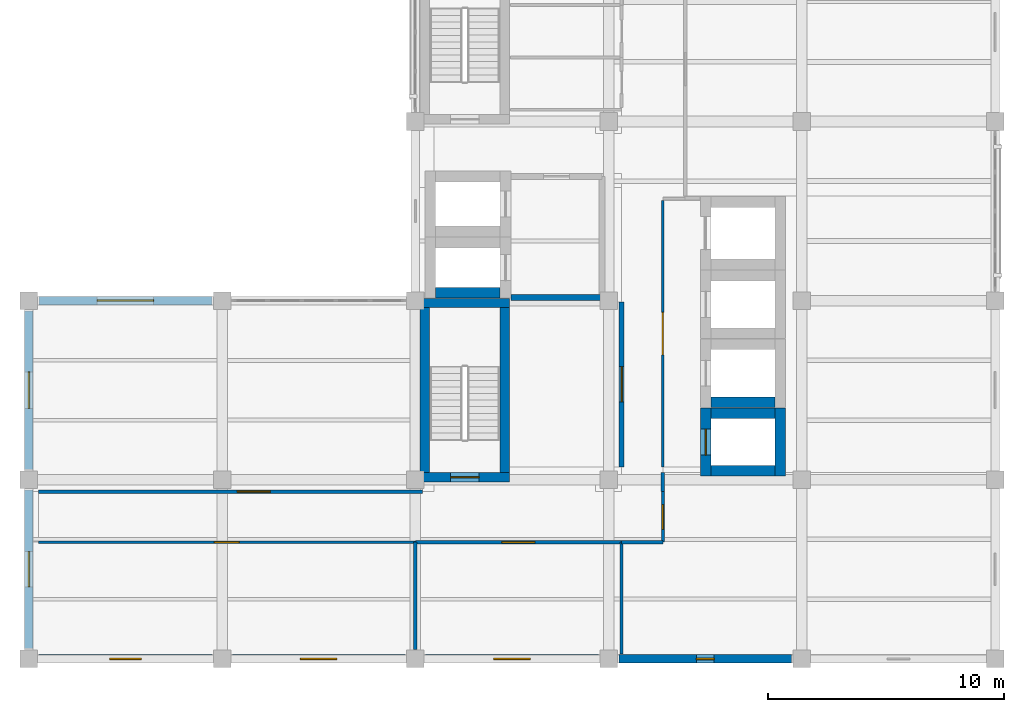
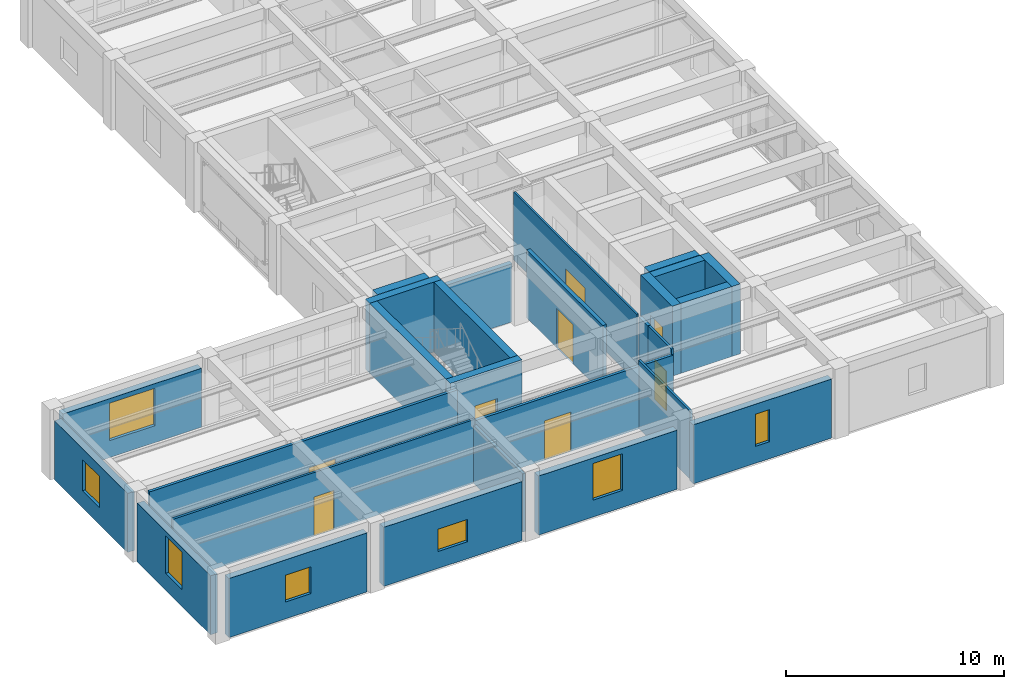
# One storey, part 7 of 13: 28 walls, 8 doors, 7 windows, 15 openings.
"""IFC4 building model written with IfcOpenShell, lengths in metres."""

from ifc_helpers import new_model, si_unit, direction, frame, frame_2d, origin, place, context, subcontext, project, spatial, rectangle, extrude, material, layer, layer_set, type_object, element, fill, save


model = new_model("IFC4")

# Units and contexts
model_context = context("Model", 3, precision=1e-05, world=origin(), true_north=direction((0.0, 1.0)))
body_context = subcontext(model_context, "Body", "Model", "MODEL_VIEW")
ifc_project = project(units=[si_unit("LENGTHUNIT", "METRE"), si_unit("AREAUNIT", "SQUARE_METRE"), si_unit("VOLUMEUNIT", "CUBIC_METRE"), si_unit("PLANEANGLEUNIT", "RADIAN"), si_unit("MASSUNIT", "GRAM", prefix="KILO")], contexts=[model_context])

# Site, building, storey
site_placement = place(None, origin())
site = spatial("IfcSite", under=ifc_project, at=site_placement, CompositionType="ELEMENT")
building_placement = place(site_placement, origin())
building = spatial("IfcBuilding", under=site, at=building_placement, Name="Qandaris Square Conservatory and Botanical Centre", CompositionType="ELEMENT")
storey_placement = place(building_placement, frame((0.0, 0.0, 57.60009765625)))
storey = spatial("IfcBuildingStorey", under=building, at=storey_placement, Name="L13", CompositionType="ELEMENT", Elevation=57.60009765625)

# Wall, opening, door
ifc_material_1 = material(Name="Gypsum Plasterboard", Category="gypsum")
ifc_layer_1 = layer(ifc_material_1, 0.14990234375)
ifc_layer_set_1 = layer_set([ifc_layer_1], Name="Gypsum Plasterboard")
wall_type_1 = type_object("IfcWallType", Name="Acoustic Laboratory Partition 150mm", PredefinedType="PARTITIONING", material=ifc_layer_set_1)
wall_1_placement = place(storey_placement, frame((147.949951171875, 21.550048828125, 0.0), z_axis=(0.0, 0.0, 1.0), x_axis=(-1.0, 0.0, 0.0)))
wall_1 = element("IfcWall", 1, at=wall_1_placement, inside=storey, type_object=wall_type_1, Name="Interior Partition IW-L13-0426", PredefinedType="PARTITIONING", context=body_context, shape_type="SweptSolid", body=[
    extrude(rectangle(XDim=8.75, YDim=0.14990234375, at=frame_2d((4.375, 0.0))), origin(), (0.0, 0.0, 1.0), 3.494873046875),
])
opening_1_placement = place(wall_1_placement, frame((3.675048828125, 0.0, 0.0)))
opening_1 = element("IfcOpeningElement", 2, at=opening_1_placement, cuts=wall_1, Name="Opening D-LAB1", PredefinedType="OPENING", context=body_context, shape_type="SweptSolid", body=[
    extrude(rectangle(XDim=1.39990234375, YDim=2.199951171875, at=frame_2d((0.699951171875, 1.10009765625))), frame((0.0, 0.0869140625, 0.0), z_axis=(0.0, -1.0, 0.0), x_axis=(1.0, 0.0, 0.0)), (0.0, 0.0, 1.0), 0.173828125),
])
ifc_material_2 = material(Name="Engineered Oak Timber", Category="wood")
door_type_1 = type_object("IfcDoorType", Name="Research Laboratory Leaf-and-Half Door 1400x2200", OperationType="DOUBLE_DOOR_SINGLE_SWING", PredefinedType="DOOR", material=ifc_material_2)
door_1_placement = place(opening_1_placement, frame((1.39990234375, 0.0, 0.0), z_axis=(0.0, 0.0, 1.0), x_axis=(-1.0, 0.0, 0.0)))
door_1 = element("IfcDoor", 3, at=door_1_placement, inside=storey, type_object=door_type_1, Name="DR-0385 Coastal Dune Flora Suite Door", OperationType="DOUBLE_DOOR_SINGLE_SWING", OverallHeight=2.199951171875, OverallWidth=1.39990234375, PredefinedType="DOOR", context=body_context, shape_type="SweptSolid", body=[
    extrude(rectangle(XDim=1.39990234375, YDim=2.199951171875, at=frame_2d((0.699951171875, 1.10009765625))), frame((0.0, 0.02490234375, 0.0), z_axis=(0.0, -1.0, 0.0), x_axis=(1.0, 0.0, 0.0)), (0.0, 0.0, 1.0), 0.050048828125),
])
fill(opening_1, door_1)

# Walls
wall_2_placement = place(storey_placement, frame((149.699951171875, 24.5, 0.0), z_axis=(0.0, 0.0, 1.0), x_axis=(0.0, -1.0, 0.0)))
element("IfcWall", 4, at=wall_2_placement, inside=storey, type_object=wall_type_1, Name="Interior Partition IW-L13-0427", PredefinedType="PARTITIONING", context=body_context, shape_type="SweptSolid", body=[
    extrude(rectangle(XDim=0.800048828125, YDim=0.14990234375, at=frame_2d((0.39990234375, 0.0))), origin(), (0.0, 0.0, 1.0), 3.804931640625),
])
wall_3_placement = place(storey_placement, frame((149.699951171875, 21.550048828125, 0.0), z_axis=(0.0, 0.0, 1.0), x_axis=(-1.0, 0.0, 0.0)))
element("IfcWall", 5, at=wall_3_placement, inside=storey, type_object=wall_type_1, Name="Interior Partition IW-L13-0429", PredefinedType="PARTITIONING", context=body_context, shape_type="SweptSolid", body=[
    extrude(rectangle(XDim=1.75, YDim=0.14990234375, at=frame_2d((0.875, 0.0))), origin(), (0.0, 0.0, 1.0), 3.494873046875),
])

# Wall, opening, door
wall_4_placement = place(storey_placement, frame((123.199951171875, 23.699951171875, 0.0), z_axis=(0.0, 0.0, 1.0), x_axis=(1.0, 0.0, 0.0)))
wall_4 = element("IfcWall", 6, at=wall_4_placement, inside=storey, type_object=wall_type_1, Name="Interior Partition IW-L13-0434", PredefinedType="PARTITIONING", context=body_context, shape_type="SweptSolid", body=[
    extrude(rectangle(XDim=16.300048828125, YDim=0.14990234375, at=frame_2d((8.14990234375, 0.0))), origin(), (0.0, 0.0, 1.0), 3.804931640625),
])
opening_2_placement = place(wall_4_placement, frame((8.452880859375, 0.0, 0.0)))
opening_2 = element("IfcOpeningElement", 7, at=opening_2_placement, cuts=wall_4, Name="Opening D-LAB1", PredefinedType="OPENING", context=body_context, shape_type="SweptSolid", body=[
    extrude(rectangle(XDim=1.39990234375, YDim=2.199951171875, at=frame_2d((0.699951171875, 1.10009765625))), frame((0.0, 0.0869140625, 0.0), z_axis=(0.0, -1.0, 0.0), x_axis=(1.0, 0.0, 0.0)), (0.0, 0.0, 1.0), 0.173828125),
])
door_2_placement = place(opening_2_placement, frame((1.39990234375, 0.0, 0.0), z_axis=(0.0, 0.0, 1.0), x_axis=(-1.0, 0.0, 0.0)))
door_2 = element("IfcDoor", 8, at=door_2_placement, inside=storey, type_object=door_type_1, Name="DR-0387 Climate Modelling Research Laboratory South Door", OperationType="DOUBLE_DOOR_SINGLE_SWING", OverallHeight=2.199951171875, OverallWidth=1.39990234375, PredefinedType="DOOR", context=body_context, shape_type="SweptSolid", body=[
    extrude(rectangle(XDim=1.39990234375, YDim=2.199951171875, at=frame_2d((0.699951171875, 1.10009765625))), frame((0.0, 0.02490234375, 0.0), z_axis=(0.0, -1.0, 0.0), x_axis=(1.0, 0.0, 0.0)), (0.0, 0.0, 1.0), 0.050048828125),
])
fill(opening_2, door_2)

# Wall
wall_5_placement = place(storey_placement, frame((139.199951171875, 21.550048828125, 0.0), z_axis=(0.0, 0.0, 1.0), x_axis=(0.0, -1.0, 0.0)))
element("IfcWall", 9, at=wall_5_placement, inside=storey, type_object=wall_type_1, Name="Interior Partition IW-L13-0435", PredefinedType="PARTITIONING", context=body_context, shape_type="SweptSolid", body=[
    extrude(rectangle(XDim=4.554931640625, YDim=0.14990234375, at=frame_2d((2.27734375, 0.0))), origin(), (0.0, 0.0, 1.0), 3.2548828125),
])

# Wall, opening, window
ifc_material_3 = material(Name="Precast concrete C40/50", Category="concrete")
ifc_layer_2 = layer(ifc_material_3, 0.360107421875)
ifc_layer_set_2 = layer_set([ifc_layer_2], Name="Precast concrete C40/50")
wall_type_2 = type_object("IfcWallType", Name="Architectural Precast Cladding Wall 360mm", PredefinedType="SOLIDWALL", material=ifc_layer_set_2)
wall_6_placement = place(storey_placement, frame((123.235107421875, 16.60009765625, 0.0), z_axis=(0.0, 0.0, 1.0), x_axis=(1.0, 0.0, 0.0)))
wall_6 = element("IfcWall", 10, at=wall_6_placement, inside=storey, type_object=wall_type_2, Name="Exterior Wall EW-TWR-L13-1-1", PredefinedType="SOLIDWALL", context=body_context, shape_type="SweptSolid", body=[
    extrude(rectangle(XDim=7.329833984375, YDim=0.360107421875, at=frame_2d((3.6650390625, 0.0))), origin(), (0.0, 0.0, 1.0), 3.304931640625),
])
opening_3_placement = place(wall_6_placement, frame((2.989990234375, 0.0, 0.949951171875)))
opening_3 = element("IfcOpeningElement", 11, at=opening_3_placement, cuts=wall_6, Name="Opening WN-22", PredefinedType="OPENING", context=body_context, shape_type="SweptSolid", body=[
    extrude(rectangle(XDim=1.35009765625, YDim=1.5, at=frame_2d((0.675048828125, 0.75))), frame((0.0, 0.19189453125, 0.0), z_axis=(0.0, -1.0, 0.0), x_axis=(1.0, 0.0, 0.0)), (0.0, 0.0, 1.0), 0.384033203125),
])
ifc_material_4 = material(Name="Tempered Low-E Glass", Category="glass")
window_type_1 = type_object("IfcWindowType", Name="Solar Control Window 1350x1500", PartitioningType="SINGLE_PANEL", PredefinedType="WINDOW", material=ifc_material_4)
window_1_placement = place(opening_3_placement, origin())
window_1 = element("IfcWindow", 12, at=window_1_placement, inside=storey, type_object=window_type_1, Name="Window EW-TWR-L13-1-1", OverallHeight=1.5, OverallWidth=1.35009765625, PartitioningType="SINGLE_PANEL", PredefinedType="WINDOW", context=body_context, shape_type="SweptSolid", body=[
    extrude(rectangle(XDim=1.35009765625, YDim=1.5, at=frame_2d((0.675048828125, 0.75))), frame((0.0, 0.030029296875, 0.0), z_axis=(0.0, -1.0, 0.0), x_axis=(1.0, 0.0, 0.0)), (0.0, 0.0, 1.0), 0.06005859375),
])
fill(opening_3, window_1)

wall_7_placement = place(storey_placement, frame((131.43505859375, 16.60009765625, 0.0), z_axis=(0.0, 0.0, 1.0), x_axis=(1.0, 0.0, 0.0)))
wall_7 = element("IfcWall", 13, at=wall_7_placement, inside=storey, type_object=wall_type_2, Name="Exterior Wall EW-TWR-L13-1-2", PredefinedType="SOLIDWALL", context=body_context, shape_type="SweptSolid", body=[
    extrude(rectangle(XDim=7.329833984375, YDim=0.360107421875, at=frame_2d((3.6650390625, 0.0))), origin(), (0.0, 0.0, 1.0), 3.304931640625),
])
opening_4_placement = place(wall_7_placement, frame((2.889892578125, 0.0, 0.949951171875)))
opening_4 = element("IfcOpeningElement", 14, at=opening_4_placement, cuts=wall_7, Name="Opening WN-25", PredefinedType="OPENING", context=body_context, shape_type="SweptSolid", body=[
    extrude(rectangle(XDim=1.550048828125, YDim=1.25, at=frame_2d((0.77490234375, 0.625))), frame((0.0, 0.19189453125, 0.0), z_axis=(0.0, -1.0, 0.0), x_axis=(1.0, 0.0, 0.0)), (0.0, 0.0, 1.0), 0.384033203125),
])
window_type_2 = type_object("IfcWindowType", Name="Solar Control Window 1550x1250", PartitioningType="DOUBLE_PANEL_VERTICAL", PredefinedType="WINDOW", material=ifc_material_4)
window_2_placement = place(opening_4_placement, origin())
window_2 = element("IfcWindow", 15, at=window_2_placement, inside=storey, type_object=window_type_2, Name="Window EW-TWR-L13-1-2", OverallHeight=1.25, OverallWidth=1.550048828125, PartitioningType="DOUBLE_PANEL_VERTICAL", PredefinedType="WINDOW", context=body_context, shape_type="SweptSolid", body=[
    extrude(rectangle(XDim=1.550048828125, YDim=1.25, at=frame_2d((0.77490234375, 0.625))), frame((0.0, 0.030029296875, 0.0), z_axis=(0.0, -1.0, 0.0), x_axis=(1.0, 0.0, 0.0)), (0.0, 0.0, 1.0), 0.06005859375),
])
fill(opening_4, window_2)

wall_8_placement = place(storey_placement, frame((139.635009765625, 16.60009765625, 0.0), z_axis=(0.0, 0.0, 1.0), x_axis=(1.0, 0.0, 0.0)))
wall_8 = element("IfcWall", 16, at=wall_8_placement, inside=storey, type_object=wall_type_2, Name="Exterior Wall EW-TWR-L13-1-3", PredefinedType="SOLIDWALL", context=body_context, shape_type="SweptSolid", body=[
    extrude(rectangle(XDim=7.330078125, YDim=0.360107421875, at=frame_2d((3.6650390625, 0.0))), origin(), (0.0, 0.0, 1.0), 3.304931640625),
])
opening_5_placement = place(wall_8_placement, frame((2.889892578125, 0.0, 0.949951171875)))
opening_5 = element("IfcOpeningElement", 17, at=opening_5_placement, cuts=wall_8, Name="Opening WN-28", PredefinedType="OPENING", context=body_context, shape_type="SweptSolid", body=[
    extrude(rectangle(XDim=1.550048828125, YDim=2.050048828125, at=frame_2d((0.77490234375, 1.02490234375))), frame((0.0, 0.19189453125, 0.0), z_axis=(0.0, -1.0, 0.0), x_axis=(1.0, 0.0, 0.0)), (0.0, 0.0, 1.0), 0.384033203125),
])
window_type_3 = type_object("IfcWindowType", Name="Solar Control Window 1550x2050", PartitioningType="DOUBLE_PANEL_VERTICAL", PredefinedType="WINDOW", material=ifc_material_4)
window_3_placement = place(opening_5_placement, origin())
window_3 = element("IfcWindow", 18, at=window_3_placement, inside=storey, type_object=window_type_3, Name="Window EW-TWR-L13-1-3", OverallHeight=2.050048828125, OverallWidth=1.550048828125, PartitioningType="DOUBLE_PANEL_VERTICAL", PredefinedType="WINDOW", context=body_context, shape_type="SweptSolid", body=[
    extrude(rectangle(XDim=1.550048828125, YDim=2.050048828125, at=frame_2d((0.77490234375, 1.02490234375))), frame((0.0, 0.030029296875, 0.0), z_axis=(0.0, -1.0, 0.0), x_axis=(1.0, 0.0, 0.0)), (0.0, 0.0, 1.0), 0.06005859375),
])
fill(opening_5, window_3)

wall_9_placement = place(storey_placement, frame((147.8349609375, 16.60009765625, 0.0), z_axis=(0.0, 0.0, 1.0), x_axis=(1.0, 0.0, 0.0)))
wall_9 = element("IfcWall", 19, at=wall_9_placement, inside=storey, type_object=wall_type_2, Name="Exterior Wall EW-TWR-L13-1-4", PredefinedType="SOLIDWALL", context=body_context, shape_type="SweptSolid", body=[
    extrude(rectangle(XDim=7.330078125, YDim=0.360107421875, at=frame_2d((3.6650390625, 0.0))), origin(), (0.0, 0.0, 1.0), 3.304931640625),
])
opening_6_placement = place(wall_9_placement, frame((3.2900390625, 0.0, 0.949951171875)))
opening_6 = element("IfcOpeningElement", 20, at=opening_6_placement, cuts=wall_9, Name="Opening WN-03", PredefinedType="OPENING", context=body_context, shape_type="SweptSolid", body=[
    extrude(rectangle(XDim=0.75, YDim=1.800048828125, at=frame_2d((0.375, 0.89990234375))), frame((0.0, 0.19189453125, 0.0), z_axis=(0.0, -1.0, 0.0), x_axis=(1.0, 0.0, 0.0)), (0.0, 0.0, 1.0), 0.384033203125),
])
window_type_4 = type_object("IfcWindowType", Name="Herbarium UV-Filtered Slot Window 750x1800", PartitioningType="SINGLE_PANEL", PredefinedType="WINDOW", material=ifc_material_4)
window_4_placement = place(opening_6_placement, origin())
window_4 = element("IfcWindow", 21, at=window_4_placement, inside=storey, type_object=window_type_4, Name="Window EW-TWR-L13-1-4", OverallHeight=1.800048828125, OverallWidth=0.75, PartitioningType="SINGLE_PANEL", PredefinedType="WINDOW", context=body_context, shape_type="SweptSolid", body=[
    extrude(rectangle(XDim=0.75, YDim=1.800048828125, at=frame_2d((0.375, 0.89990234375))), frame((0.0, 0.030029296875, 0.0), z_axis=(0.0, -1.0, 0.0), x_axis=(1.0, 0.0, 0.0)), (0.0, 0.0, 1.0), 0.06005859375),
])
fill(opening_6, window_4)

wall_10_placement = place(storey_placement, frame((130.56494140625, 31.800048828125, 0.0), z_axis=(0.0, 0.0, 1.0), x_axis=(-1.0, 0.0, 0.0)))
wall_10 = element("IfcWall", 22, at=wall_10_placement, inside=storey, type_object=wall_type_2, Name="Exterior Wall EW-TWR-L13-5-2", PredefinedType="SOLIDWALL", context=body_context, shape_type="SweptSolid", body=[
    extrude(rectangle(XDim=7.329833984375, YDim=0.360107421875, at=frame_2d((3.6650390625, 0.0))), origin(), (0.0, 0.0, 1.0), 3.304931640625),
])
opening_7_placement = place(wall_10_placement, frame((2.465087890625, 0.0, 0.949951171875)))
opening_7 = element("IfcOpeningElement", 23, at=opening_7_placement, cuts=wall_10, Name="Opening WN-04", PredefinedType="OPENING", context=body_context, shape_type="SweptSolid", body=[
    extrude(rectangle(XDim=2.39990234375, YDim=2.10009765625, at=frame_2d((1.199951171875, 1.050048828125))), frame((0.0, 0.19189453125, 0.0), z_axis=(0.0, -1.0, 0.0), x_axis=(1.0, 0.0, 0.0)), (0.0, 0.0, 1.0), 0.384033203125),
])
window_type_5 = type_object("IfcWindowType", Name="North Research Ribbon Window 2400x2100", PartitioningType="TRIPLE_PANEL_VERTICAL", PredefinedType="WINDOW", material=ifc_material_4)
window_5_placement = place(opening_7_placement, origin())
window_5 = element("IfcWindow", 24, at=window_5_placement, inside=storey, type_object=window_type_5, Name="Window EW-TWR-L13-5-2", OverallHeight=2.10009765625, OverallWidth=2.39990234375, PartitioningType="TRIPLE_PANEL_VERTICAL", PredefinedType="WINDOW", context=body_context, shape_type="SweptSolid", body=[
    extrude(rectangle(XDim=2.39990234375, YDim=2.10009765625, at=frame_2d((1.199951171875, 1.050048828125))), frame((0.0, 0.030029296875, 0.0), z_axis=(0.0, -1.0, 0.0), x_axis=(1.0, 0.0, 0.0)), (0.0, 0.0, 1.0), 0.06005859375),
])
fill(opening_7, window_5)

wall_11_placement = place(storey_placement, frame((122.800048828125, 31.364990234375, 0.0), z_axis=(0.0, 0.0, 1.0), x_axis=(0.0, -1.0, 0.0)))
wall_11 = element("IfcWall", 25, at=wall_11_placement, inside=storey, type_object=wall_type_2, Name="Exterior Wall EW-TWR-L13-6-1", PredefinedType="SOLIDWALL", context=body_context, shape_type="SweptSolid", body=[
    extrude(rectangle(XDim=6.72998046875, YDim=0.360107421875, at=frame_2d((3.364990234375, 0.0))), origin(), (0.0, 0.0, 1.0), 3.304931640625),
])
opening_8_placement = place(wall_11_placement, frame((2.590087890625, 0.0, 0.949951171875)))
opening_8 = element("IfcOpeningElement", 26, at=opening_8_placement, cuts=wall_11, Name="Opening WN-27", PredefinedType="OPENING", context=body_context, shape_type="SweptSolid", body=[
    extrude(rectangle(XDim=1.550048828125, YDim=1.75, at=frame_2d((0.77490234375, 0.875))), frame((0.0, 0.19189453125, 0.0), z_axis=(0.0, -1.0, 0.0), x_axis=(1.0, 0.0, 0.0)), (0.0, 0.0, 1.0), 0.384033203125),
])
window_type_6 = type_object("IfcWindowType", Name="Solar Control Window 1550x1750", PartitioningType="DOUBLE_PANEL_VERTICAL", PredefinedType="WINDOW", material=ifc_material_4)
window_6_placement = place(opening_8_placement, origin())
window_6 = element("IfcWindow", 27, at=window_6_placement, inside=storey, type_object=window_type_6, Name="Window EW-TWR-L13-6-1", OverallHeight=1.75, OverallWidth=1.550048828125, PartitioningType="DOUBLE_PANEL_VERTICAL", PredefinedType="WINDOW", context=body_context, shape_type="SweptSolid", body=[
    extrude(rectangle(XDim=1.550048828125, YDim=1.75, at=frame_2d((0.77490234375, 0.875))), frame((0.0, 0.030029296875, 0.0), z_axis=(0.0, -1.0, 0.0), x_axis=(1.0, 0.0, 0.0)), (0.0, 0.0, 1.0), 0.06005859375),
])
fill(opening_8, window_6)

wall_12_placement = place(storey_placement, frame((122.800048828125, 23.764892578125, 0.0), z_axis=(0.0, 0.0, 1.0), x_axis=(0.0, -1.0, 0.0)))
wall_12 = element("IfcWall", 28, at=wall_12_placement, inside=storey, type_object=wall_type_2, Name="Exterior Wall EW-TWR-L13-6-2", PredefinedType="SOLIDWALL", context=body_context, shape_type="SweptSolid", body=[
    extrude(rectangle(XDim=6.72998046875, YDim=0.360107421875, at=frame_2d((3.364990234375, 0.0))), origin(), (0.0, 0.0, 1.0), 3.304931640625),
])
opening_9_placement = place(wall_12_placement, frame((2.614990234375, 0.0, 0.949951171875)))
opening_9 = element("IfcOpeningElement", 29, at=opening_9_placement, cuts=wall_12, Name="Opening WN-02", PredefinedType="OPENING", context=body_context, shape_type="SweptSolid", body=[
    extrude(rectangle(XDim=1.5, YDim=2.10009765625, at=frame_2d((0.75, 1.050048828125))), frame((0.0, 0.19189453125, 0.0), z_axis=(0.0, -1.0, 0.0), x_axis=(1.0, 0.0, 0.0)), (0.0, 0.0, 1.0), 0.384033203125),
])
window_type_7 = type_object("IfcWindowType", Name="Deep-Set Paired Research Window 1500x2100", PartitioningType="DOUBLE_PANEL_VERTICAL", PredefinedType="WINDOW", material=ifc_material_4)
window_7_placement = place(opening_9_placement, origin())
window_7 = element("IfcWindow", 30, at=window_7_placement, inside=storey, type_object=window_type_7, Name="Window EW-TWR-L13-6-2", OverallHeight=2.10009765625, OverallWidth=1.5, PartitioningType="DOUBLE_PANEL_VERTICAL", PredefinedType="WINDOW", context=body_context, shape_type="SweptSolid", body=[
    extrude(rectangle(XDim=1.5, YDim=2.10009765625, at=frame_2d((0.75, 1.050048828125))), frame((0.0, 0.030029296875, 0.0), z_axis=(0.0, -1.0, 0.0), x_axis=(1.0, 0.0, 0.0)), (0.0, 0.0, 1.0), 0.06005859375),
])
fill(opening_9, window_7)

# Wall
ifc_material_5 = material(Name="Concrete C40/50", Category="concrete")
ifc_layer_3 = layer(ifc_material_5, 0.25)
ifc_layer_set_3 = layer_set([ifc_layer_3], Name="Concrete C40/50")
wall_type_3 = type_object("IfcWallType", Name="Firefighting Lobby Compartment Wall 250mm", PredefinedType="SOLIDWALL", material=ifc_layer_set_3)
wall_13_placement = place(storey_placement, frame((143.25, 31.925048828125, 0.0), z_axis=(0.0, 0.0, 1.0), x_axis=(1.0, 0.0, 0.0)))
element("IfcWall", 31, at=wall_13_placement, inside=storey, type_object=wall_type_3, Name="Firefighting Lobby Wall South (L13)", PredefinedType="SOLIDWALL", context=body_context, shape_type="SweptSolid", body=[
    extrude(rectangle(XDim=3.875, YDim=0.25, at=frame_2d((1.9375, 0.0))), origin(), (0.0, 0.0, 1.0), 3.2548828125),
])

# Wall, opening, door
ifc_layer_4 = layer(ifc_material_4, 0.10009765625)
ifc_layer_set_4 = layer_set([ifc_layer_4], Name="Tempered Low-E Glass")
wall_type_4 = type_object("IfcWallType", Name="Framed Acoustic Glazed Gallery Screen 100mm", PredefinedType="PARTITIONING", material=ifc_layer_set_4)
wall_14_placement = place(storey_placement, frame((149.699951171875, 24.75, 0.0), z_axis=(0.0, 0.0, 1.0), x_axis=(0.0, 1.0, 0.0)))
wall_14 = element("IfcWall", 32, at=wall_14_placement, inside=storey, type_object=wall_type_4, Name="Interior Partition IW-L13-0417", PredefinedType="PARTITIONING", context=body_context, shape_type="SweptSolid", body=[
    extrude(rectangle(XDim=11.300048828125, YDim=0.10009765625, at=frame_2d((5.64990234375, 0.0))), origin(), (0.0, 0.0, 1.0), 3.804931640625),
])
opening_10_placement = place(wall_14_placement, frame((4.75, 0.0, 0.0)))
opening_10 = element("IfcOpeningElement", 33, at=opening_10_placement, cuts=wall_14, Name="Opening D-GL1", PredefinedType="OPENING", context=body_context, shape_type="SweptSolid", body=[
    extrude(rectangle(XDim=1.800048828125, YDim=2.39990234375, at=frame_2d((0.89990234375, 1.199951171875))), frame((0.0, 0.06201171875, 0.0), z_axis=(0.0, -1.0, 0.0), x_axis=(1.0, 0.0, 0.0)), (0.0, 0.0, 1.0), 0.1240234375),
])
ifc_material_6 = material(Name="Anodised Aluminium", Category="aluminium")
door_type_2 = type_object("IfcDoorType", Name="Visitor Gallery Glazed Double Door 1800x2400", OperationType="DOUBLE_DOOR_SINGLE_SWING", PredefinedType="DOOR", material=ifc_material_6)
door_3_placement = place(opening_10_placement, frame((1.800048828125, 0.0, 0.0), z_axis=(0.0, 0.0, 1.0), x_axis=(-1.0, 0.0, 0.0)))
door_3 = element("IfcDoor", 34, at=door_3_placement, inside=storey, type_object=door_type_2, Name="DR-0384 Main Circulation Corridor L13 Door", OperationType="DOUBLE_DOOR_SINGLE_SWING", OverallHeight=2.39990234375, OverallWidth=1.800048828125, PredefinedType="DOOR", context=body_context, shape_type="SweptSolid", body=[
    extrude(rectangle(XDim=1.800048828125, YDim=2.39990234375, at=frame_2d((0.89990234375, 1.199951171875))), frame((0.0, 0.02490234375, 0.0), z_axis=(0.0, -1.0, 0.0), x_axis=(1.0, 0.0, 0.0)), (0.0, 0.0, 1.0), 0.050048828125),
])
fill(opening_10, door_3)

ifc_layer_5 = layer(ifc_material_5, 0.199951171875)
ifc_layer_set_5 = layer_set([ifc_layer_5], Name="Concrete C40/50")
wall_type_5 = type_object("IfcWallType", Name="Herbarium & Plant Compartment Wall 200mm", PredefinedType="PARTITIONING", material=ifc_layer_set_5)
wall_15_placement = place(storey_placement, frame((147.949951171875, 31.75, 0.0), z_axis=(0.0, 0.0, 1.0), x_axis=(0.0, -1.0, 0.0)))
wall_15 = element("IfcWall", 35, at=wall_15_placement, inside=storey, type_object=wall_type_5, Name="Interior Partition IW-L13-0416", PredefinedType="PARTITIONING", context=body_context, shape_type="SweptSolid", body=[
    extrude(rectangle(XDim=7.0, YDim=0.199951171875, at=frame_2d((3.5, 0.0))), origin(), (0.0, 0.0, 1.0), 3.804931640625),
])
opening_11_placement = place(wall_15_placement, frame((2.75, 0.0, 0.0)))
opening_11 = element("IfcOpeningElement", 36, at=opening_11_placement, cuts=wall_15, Name="Opening D-PLT1", PredefinedType="OPENING", context=body_context, shape_type="SweptSolid", body=[
    extrude(rectangle(XDim=1.5, YDim=2.199951171875, at=frame_2d((0.75, 1.10009765625))), frame((0.0, 0.11181640625, 0.0), z_axis=(0.0, -1.0, 0.0), x_axis=(1.0, 0.0, 0.0)), (0.0, 0.0, 1.0), 0.223876953125),
])
ifc_material_7 = material(Name="Steel S355", Category="steel")
door_type_3 = type_object("IfcDoorType", Name="Plant & Riser Double Fire Door 1500x2200", OperationType="DOUBLE_DOOR_SINGLE_SWING", PredefinedType="DOOR", material=ifc_material_7)
door_4_placement = place(opening_11_placement, origin())
door_4 = element("IfcDoor", 37, at=door_4_placement, inside=storey, type_object=door_type_3, Name="DR-0393 Electrical and Telecom Riser Room L13 Door", OperationType="DOUBLE_DOOR_SINGLE_SWING", OverallHeight=2.199951171875, OverallWidth=1.5, PredefinedType="DOOR", context=body_context, shape_type="SweptSolid", body=[
    extrude(rectangle(XDim=1.5, YDim=2.199951171875, at=frame_2d((0.75, 1.10009765625))), frame((0.0, 0.02490234375, 0.0), z_axis=(0.0, -1.0, 0.0), x_axis=(1.0, 0.0, 0.0)), (0.0, 0.0, 1.0), 0.050048828125),
])
fill(opening_11, door_4)

# Walls
ifc_material_8 = material(Name="Concrete C50/60", Category="concrete")
ifc_layer_6 = layer(ifc_material_8, 0.449951171875)
ifc_layer_set_6 = layer_set([ifc_layer_6], Name="Concrete C50/60")
wall_type_6 = type_object("IfcWallType", Name="RC Coupled Core Shear Wall 450mm", PredefinedType="SHEAR", material=ifc_layer_set_6)
wall_16_placement = place(storey_placement, frame((140.06005859375, 32.135009765625, 0.0), z_axis=(0.0, 0.0, 1.0), x_axis=(1.0, 0.0, 0.0)))
element("IfcWall", 38, at=wall_16_placement, inside=storey, type_object=wall_type_6, Name="Lift FFL1 Shaft Wall South (L13)", PredefinedType="SHEAR", context=body_context, shape_type="SweptSolid", body=[
    extrude(rectangle(XDim=2.739990234375, YDim=0.449951171875, at=frame_2d((1.3701171875, 0.0))), origin(), (0.0, 0.0, 1.0), 3.919921875),
])
for number, where, z_axis, x_axis, name in (
    (39, (151.75, 24.574951171875, 0.0), (0.0, 0.0, 1.0), (1.0, 0.0, 0.0), "Lift PL1 Shaft Wall South (L13)"),
    (40, (151.75, 27.02490234375, 0.0), (0.0, 0.0, 1.0), (1.0, 0.0, 0.0), "Lift PL1 Shaft Wall North (L13)"),
):
    element("IfcWall", number, at=place(storey_placement, frame(where, z_axis=z_axis, x_axis=x_axis)), inside=storey, type_object=wall_type_6, Name=name, PredefinedType="SHEAR", context=body_context, shape_type="SweptSolid", body=[
        extrude(rectangle(XDim=2.699951171875, YDim=0.449951171875, at=frame_2d((1.35009765625, 0.0))), origin(), (0.0, 0.0, 1.0), 3.919921875),
    ])

# Wall, opening, door
wall_17_placement = place(storey_placement, frame((151.52490234375, 24.35009765625, 0.0), z_axis=(0.0, 0.0, 1.0), x_axis=(0.0, 1.0, 0.0)))
wall_17 = element("IfcWall", 41, at=wall_17_placement, inside=storey, type_object=wall_type_6, Name="Lift PL1 Shaft Wall West (L13)", PredefinedType="SHEAR", context=body_context, shape_type="SweptSolid", body=[
    extrude(rectangle(XDim=2.89990234375, YDim=0.449951171875, at=frame_2d((1.449951171875, 0.0))), origin(), (0.0, 0.0, 1.0), 3.919921875),
])
opening_12_placement = place(wall_17_placement, frame((0.89990234375, 0.0, 0.0)))
opening_12 = element("IfcOpeningElement", 42, at=opening_12_placement, cuts=wall_17, Name="Opening LD-PAX", PredefinedType="OPENING", context=body_context, shape_type="SweptSolid", body=[
    extrude(rectangle(XDim=1.10009765625, YDim=2.199951171875, at=frame_2d((0.550048828125, 1.10009765625))), frame((0.0, 0.23681640625, 0.0), z_axis=(0.0, -1.0, 0.0), x_axis=(1.0, 0.0, 0.0)), (0.0, 0.0, 1.0), 0.473876953125),
])
door_type_4 = type_object("IfcDoorType", Name="Passenger Lift Sliding Landing Door 1100x2200", OperationType="DOUBLE_DOOR_SLIDING", PredefinedType="DOOR", material=ifc_material_6)
door_5_placement = place(opening_12_placement, origin())
door_5 = element("IfcDoor", 43, at=door_5_placement, inside=storey, type_object=door_type_4, Name="DR-0402 Lift PL1 Landing Door (L13)", OperationType="DOUBLE_DOOR_SLIDING", OverallHeight=2.199951171875, OverallWidth=1.10009765625, PredefinedType="DOOR", context=body_context, shape_type="SweptSolid", body=[
    extrude(rectangle(XDim=1.10009765625, YDim=2.199951171875, at=frame_2d((0.550048828125, 1.10009765625))), frame((0.0, 0.02490234375, 0.0), z_axis=(0.0, -1.0, 0.0), x_axis=(1.0, 0.0, 0.0)), (0.0, 0.0, 1.0), 0.050048828125),
])
fill(opening_12, door_5)

# Walls
wall_18_placement = place(storey_placement, frame((154.675048828125, 24.35009765625, 0.0), z_axis=(0.0, 0.0, 1.0), x_axis=(0.0, 1.0, 0.0)))
element("IfcWall", 44, at=wall_18_placement, inside=storey, type_object=wall_type_6, Name="Lift PL1 Shaft Wall East (L13)", PredefinedType="SHEAR", context=body_context, shape_type="SweptSolid", body=[
    extrude(rectangle(XDim=2.89990234375, YDim=0.449951171875, at=frame_2d((1.449951171875, 0.0))), origin(), (0.0, 0.0, 1.0), 3.919921875),
])
wall_19_placement = place(storey_placement, frame((151.75, 27.4951171875, 0.0), z_axis=(0.0, 0.0, 1.0), x_axis=(1.0, 0.0, 0.0)))
element("IfcWall", 45, at=wall_19_placement, inside=storey, type_object=wall_type_6, Name="Lift PL2 Shaft Wall South (L13)", PredefinedType="SHEAR", context=body_context, shape_type="SweptSolid", body=[
    extrude(rectangle(XDim=2.699951171875, YDim=0.449951171875, at=frame_2d((1.35009765625, 0.0))), origin(), (0.0, 0.0, 1.0), 3.919921875),
])

# Wall, opening, door
ifc_layer_7 = layer(ifc_material_8, 0.39990234375)
ifc_layer_set_7 = layer_set([ifc_layer_7], Name="Concrete C50/60")
wall_type_7 = type_object("IfcWallType", Name="RC Stair Core Shear Wall 400mm", PredefinedType="SHEAR", material=ifc_layer_set_7)
wall_20_placement = place(storey_placement, frame((139.39990234375, 24.300048828125, 0.0), z_axis=(0.0, 0.0, 1.0), x_axis=(1.0, 0.0, 0.0)))
wall_20 = element("IfcWall", 46, at=wall_20_placement, inside=storey, type_object=wall_type_7, Name="ST-1 Core Shear Wall South (L13)", PredefinedType="SHEAR", context=body_context, shape_type="SweptSolid", body=[
    extrude(rectangle(XDim=3.800048828125, YDim=0.39990234375, at=frame_2d((1.89990234375, 0.0))), origin(), (0.0, 0.0, 1.0), 3.919921875),
])
opening_13_placement = place(wall_20_placement, frame((1.300048828125, 0.0, 0.0)))
opening_13 = element("IfcOpeningElement", 47, at=opening_13_placement, cuts=wall_20, Name="Opening D-ST1", PredefinedType="OPENING", context=body_context, shape_type="SweptSolid", body=[
    extrude(rectangle(XDim=1.199951171875, YDim=2.199951171875, at=frame_2d((0.60009765625, 1.10009765625))), frame((0.0, 0.2119140625, 0.0), z_axis=(0.0, -1.0, 0.0), x_axis=(1.0, 0.0, 0.0)), (0.0, 0.0, 1.0), 0.423828125),
])
door_type_5 = type_object("IfcDoorType", Name="Exit Stair Core Fire Door 1200x2200", OperationType="NOTDEFINED", PredefinedType="DOOR", material=ifc_material_7)
door_6_placement = place(opening_13_placement, origin())
door_6 = element("IfcDoor", 48, at=door_6_placement, inside=storey, type_object=door_type_5, Name="DR-0394 ST-1 Stair Core Door (L13)", OperationType="SINGLE_SWING_LEFT", OverallHeight=2.199951171875, OverallWidth=1.199951171875, PredefinedType="DOOR", context=body_context, shape_type="SweptSolid", body=[
    extrude(rectangle(XDim=1.199951171875, YDim=2.199951171875, at=frame_2d((0.60009765625, 1.10009765625))), frame((0.0, 0.02490234375, 0.0), z_axis=(0.0, -1.0, 0.0), x_axis=(1.0, 0.0, 0.0)), (0.0, 0.0, 1.0), 0.050048828125),
])
fill(opening_13, door_6)

# Walls
wall_21_placement = place(storey_placement, frame((139.39990234375, 31.699951171875, 0.0), z_axis=(0.0, 0.0, 1.0), x_axis=(1.0, 0.0, 0.0)))
element("IfcWall", 49, at=wall_21_placement, inside=storey, type_object=wall_type_7, Name="ST-1 Core Shear Wall North (L13)", PredefinedType="SHEAR", context=body_context, shape_type="SweptSolid", body=[
    extrude(rectangle(XDim=3.800048828125, YDim=0.39990234375, at=frame_2d((1.89990234375, 0.0))), origin(), (0.0, 0.0, 1.0), 3.919921875),
])
for number, where, z_axis, x_axis, name in (
    (50, (139.60009765625, 24.5, 0.0), (0.0, 0.0, 1.0), (0.0, 1.0, 0.0), "ST-1 Core Shear Wall West (L13)"),
    (51, (143.0, 24.5, 0.0), (0.0, 0.0, 1.0), (0.0, 1.0, 0.0), "ST-1 Core Shear Wall East (L13)"),
):
    element("IfcWall", number, at=place(storey_placement, frame(where, z_axis=z_axis, x_axis=x_axis)), inside=storey, type_object=wall_type_7, Name=name, PredefinedType="SHEAR", context=body_context, shape_type="SweptSolid", body=[
        extrude(rectangle(XDim=7.0, YDim=0.39990234375, at=frame_2d((3.5, 0.0))), origin(), (0.0, 0.0, 1.0), 3.919921875),
    ])

# Wall, opening, door
ifc_layer_8 = layer(ifc_material_1, 0.1201171875)
ifc_layer_set_8 = layer_set([ifc_layer_8], Name="Gypsum Plasterboard")
wall_type_8 = type_object("IfcWallType", Name="Standard Research Partition 120mm", PredefinedType="PARTITIONING", material=ifc_layer_set_8)
wall_22_placement = place(storey_placement, frame((139.199951171875, 21.550048828125, 0.0), z_axis=(0.0, 0.0, 1.0), x_axis=(-1.0, 0.0, 0.0)))
wall_22 = element("IfcWall", 52, at=wall_22_placement, inside=storey, type_object=wall_type_8, Name="Interior Partition IW-L13-0425", PredefinedType="PARTITIONING", context=body_context, shape_type="SweptSolid", body=[
    extrude(rectangle(XDim=16.0, YDim=0.1201171875, at=frame_2d((8.0, 0.0))), origin(), (0.0, 0.0, 1.0), 3.56494140625),
])
opening_14_placement = place(wall_22_placement, frame((7.47509765625, 0.0, 0.0)))
opening_14 = element("IfcOpeningElement", 53, at=opening_14_placement, cuts=wall_22, Name="Opening D-LAB2", PredefinedType="OPENING", context=body_context, shape_type="SweptSolid", body=[
    extrude(rectangle(XDim=1.050048828125, YDim=2.199951171875, at=frame_2d((0.52490234375, 1.10009765625))), frame((0.0, 0.072021484375, 0.0), z_axis=(0.0, -1.0, 0.0), x_axis=(1.0, 0.0, 0.0)), (0.0, 0.0, 1.0), 0.14404296875),
])
door_type_6 = type_object("IfcDoorType", Name="Analytical Laboratory Single Door 1050x2200", OperationType="NOTDEFINED", PredefinedType="DOOR", material=ifc_material_2)
door_7_placement = place(opening_14_placement, origin())
door_7 = element("IfcDoor", 54, at=door_7_placement, inside=storey, type_object=door_type_6, Name="DR-0388 Palaeobotany Pollen Research Laboratory Door", OperationType="SINGLE_SWING_LEFT", OverallHeight=2.199951171875, OverallWidth=1.050048828125, PredefinedType="DOOR", context=body_context, shape_type="SweptSolid", body=[
    extrude(rectangle(XDim=1.050048828125, YDim=2.199951171875, at=frame_2d((0.52490234375, 1.10009765625))), frame((0.0, 0.02490234375, 0.0), z_axis=(0.0, -1.0, 0.0), x_axis=(1.0, 0.0, 0.0)), (0.0, 0.0, 1.0), 0.050048828125),
])
fill(opening_14, door_7)

wall_23_placement = place(storey_placement, frame((149.699951171875, 23.699951171875, 0.0), z_axis=(0.0, 0.0, 1.0), x_axis=(0.0, -1.0, 0.0)))
wall_23 = element("IfcWall", 55, at=wall_23_placement, inside=storey, type_object=wall_type_8, Name="Interior Partition IW-L13-0428", PredefinedType="PARTITIONING", context=body_context, shape_type="SweptSolid", body=[
    extrude(rectangle(XDim=2.14990234375, YDim=0.1201171875, at=frame_2d((1.074951171875, 0.0))), origin(), (0.0, 0.0, 1.0), 3.804931640625),
])
opening_15_placement = place(wall_23_placement, frame((0.550048828125, 0.0, 0.0)))
opening_15 = element("IfcOpeningElement", 56, at=opening_15_placement, cuts=wall_23, Name="Opening D-LAB2", PredefinedType="OPENING", context=body_context, shape_type="SweptSolid", body=[
    extrude(rectangle(XDim=1.050048828125, YDim=2.199951171875, at=frame_2d((0.52490234375, 1.10009765625))), frame((0.0, 0.072021484375, 0.0), z_axis=(0.0, -1.0, 0.0), x_axis=(1.0, 0.0, 0.0)), (0.0, 0.0, 1.0), 0.14404296875),
])
door_8_placement = place(opening_15_placement, origin())
door_8 = element("IfcDoor", 57, at=door_8_placement, inside=storey, type_object=door_type_6, Name="DR-0389 Floor L13 Instrument and Balance Room Door", OperationType="SINGLE_SWING_RIGHT", OverallHeight=2.199951171875, OverallWidth=1.050048828125, PredefinedType="DOOR", context=body_context, shape_type="SweptSolid", body=[
    extrude(rectangle(XDim=1.050048828125, YDim=2.199951171875, at=frame_2d((0.52490234375, 1.10009765625))), frame((0.0, 0.02490234375, 0.0), z_axis=(0.0, -1.0, 0.0), x_axis=(1.0, 0.0, 0.0)), (0.0, 0.0, 1.0), 0.050048828125),
])
fill(opening_15, door_8)

# Wall
wall_24_placement = place(storey_placement, frame((147.949951171875, 21.550048828125, 0.0), z_axis=(0.0, 0.0, 1.0), x_axis=(0.0, -1.0, 0.0)))
element("IfcWall", 58, at=wall_24_placement, inside=storey, type_object=wall_type_8, Name="Interior Partition IW-L13-0436", PredefinedType="PARTITIONING", context=body_context, shape_type="SweptSolid", body=[
    extrude(rectangle(XDim=4.739990234375, YDim=0.1201171875, at=frame_2d((2.3701171875, 0.0))), origin(), (0.0, 0.0, 1.0), 3.804931640625),
])

save(model, "model.ifc")
